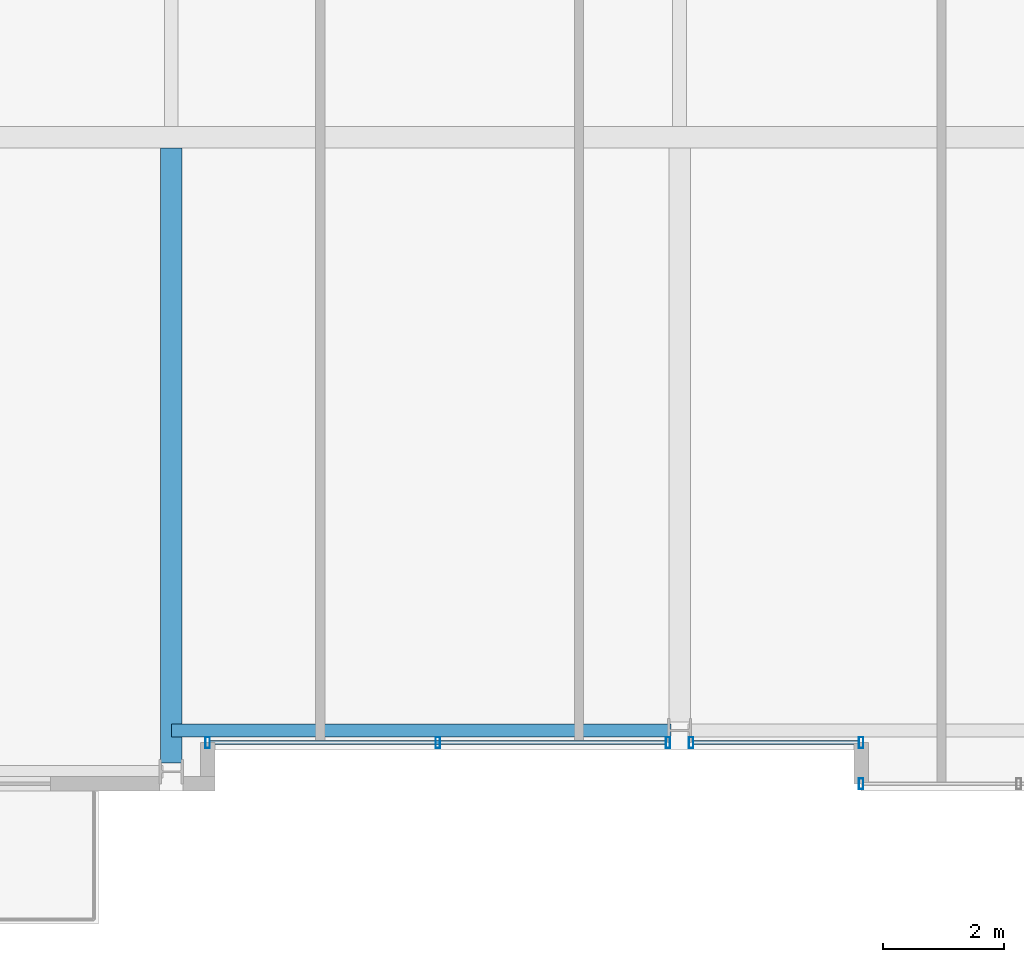
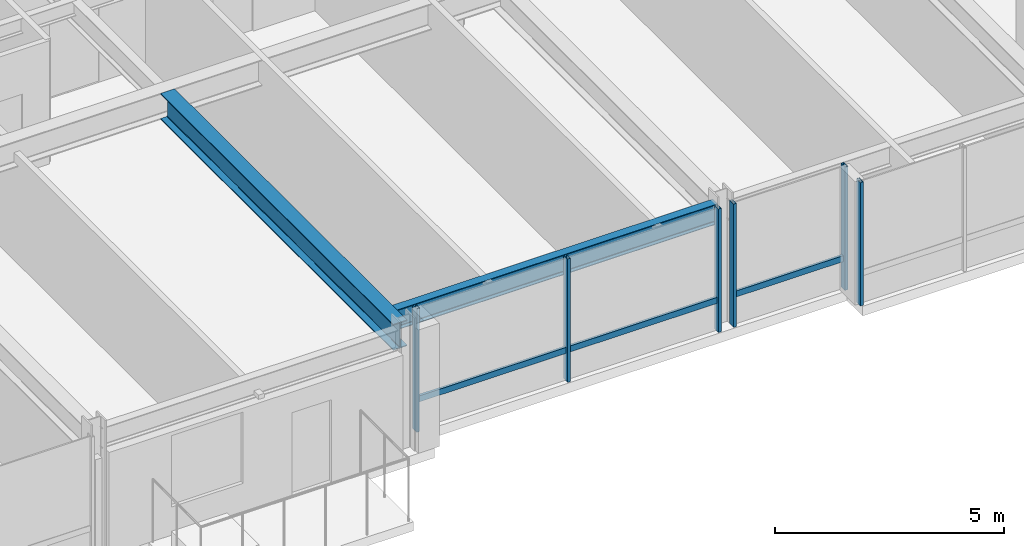
# One storey, part 5 of 32: 8 members, 2 beams, 3 elements without a shape of their own.
"""IFC4 building model written with IfcOpenShell, lengths in metres."""

from ifc_helpers import new_model, si_unit, direction, frame, origin, origin_2d, place, context, subcontext, project, spatial, hollow_rectangle, i_section, extrude, material, layer, layer_set, material_profile, profile_set, type_object, element, aggregate, save


model = new_model("IFC4")

# Units and contexts
model_context = context("Model", 3, precision=1e-05, world=origin(), true_north=direction((0.0, 1.0)))
body_context = subcontext(model_context, "Body", "Model", "MODEL_VIEW")
ifc_project = project(units=[si_unit("LENGTHUNIT", "METRE"), si_unit("AREAUNIT", "SQUARE_METRE"), si_unit("VOLUMEUNIT", "CUBIC_METRE"), si_unit("PLANEANGLEUNIT", "RADIAN"), si_unit("MASSUNIT", "GRAM", prefix="KILO")], contexts=[model_context])

# Site, building, storey
site_placement = place(None, origin())
site = spatial("IfcSite", under=ifc_project, at=site_placement, CompositionType="ELEMENT")
building_placement = place(site_placement, origin())
building = spatial("IfcBuilding", under=site, at=building_placement, Name="Drelvath Grand Hotel", CompositionType="ELEMENT")
storey_placement = place(building_placement, frame((0.0, 0.0, 193.0)))
storey = spatial("IfcBuildingStorey", under=building, at=storey_placement, Name="L50", CompositionType="ELEMENT", Elevation=193.0)

# Curtain wall, member
ifc_material_1 = material(Name="Brushed Pale-Silver Anodised Aluminium Frame", Category="aluminium")
ifc_layer = layer(ifc_material_1, 0.199951171875)
ifc_layer_set = layer_set([ifc_layer], Name="Brushed Pale-Silver Anodised Aluminium Frame")
curtain_wall_type = type_object("IfcCurtainWallType", Name="Stick Curtain Wall CW-04 Brushed Silver Upper-Mid", PredefinedType="NOTDEFINED", material=ifc_layer_set)
curtain_wall_1_placement = place(storey_placement, origin())
curtain_wall_1 = element("IfcCurtainWall", 1, at=curtain_wall_1_placement, inside=storey, type_object=curtain_wall_type, Name="L50 CW-04 Curtain Wall CW04-L50-SM1", PredefinedType="NOTDEFINED")
ifc_material_profile_1 = material_profile(ifc_material_1, hollow_rectangle(XDim=0.06494140625, YDim=0.159912109375, WallThickness=0.00390625, at=origin_2d()), Name="HSS160X65X4")
ifc_profile_set_1 = profile_set([ifc_material_profile_1], Name="Brushed Pale-Silver Anodised Aluminium Frame")
member_type_1 = type_object("IfcMemberType", Name="Curtain Wall Horizontal Transom CW-04 HSS160X65X4", PredefinedType="USERDEFINED", material=ifc_profile_set_1)
member_1_placement = place(storey_placement, frame((-0.231689453125, 0.800048828125, 0.822509765625), z_axis=(-1.0, 0.0, 0.0), x_axis=(0.0, -1.0, 0.0)))
member_1 = element("IfcMember", 2, at=member_1_placement, type_object=member_type_1, Name="CW04-L50-SM1 Sill Transom", ObjectType="TRANSOM", PredefinedType="USERDEFINED", context=body_context, shape_type="SweptSolid", body=[
    extrude(hollow_rectangle(XDim=0.06494140625, YDim=0.159912109375, WallThickness=0.00390625, at=origin_2d()), origin(), (0.0, 0.0, 1.0), 7.5283203125),
])

curtain_wall_2_placement = place(storey_placement, origin())
curtain_wall_2 = element("IfcCurtainWall", 3, at=curtain_wall_2_placement, inside=storey, type_object=curtain_wall_type, Name="L50 CW-04 Curtain Wall CW04-L50-SM2", PredefinedType="NOTDEFINED")
member_2_placement = place(storey_placement, frame((2.9599609375, 0.800048828125, 0.822509765625), z_axis=(-1.0, 0.0, 0.0), x_axis=(0.0, -1.0, 0.0)))
member_2 = element("IfcMember", 4, at=member_2_placement, type_object=member_type_1, Name="CW04-L50-SM2 Sill Transom", ObjectType="TRANSOM", PredefinedType="USERDEFINED", context=body_context, shape_type="SweptSolid", body=[
    extrude(hollow_rectangle(XDim=0.06494140625, YDim=0.159912109375, WallThickness=0.00390625, at=origin_2d()), origin(), (0.0, 0.0, 1.0), 2.728271484375),
])

curtain_wall_3_placement = place(storey_placement, origin())
curtain_wall_3 = element("IfcCurtainWall", 5, at=curtain_wall_3_placement, inside=storey, type_object=curtain_wall_type, Name="L50 CW-04 Curtain Wall CW04-L50-SE1", PredefinedType="NOTDEFINED")
ifc_material_profile_2 = material_profile(ifc_material_1, hollow_rectangle(XDim=0.074951171875, YDim=0.179931640625, WallThickness=0.0048828125, at=origin_2d()), Name="HSS180X75X5")
ifc_profile_set_2 = profile_set([ifc_material_profile_2], Name="Brushed Pale-Silver Anodised Aluminium Frame")
member_type_2 = type_object("IfcMemberType", Name="Curtain Wall Vertical Mullion CW-04 HSS180X75X5", PredefinedType="MULLION", material=ifc_profile_set_2)
member_3_placement = place(storey_placement, frame((3.0, 0.1201171875, 0.0), z_axis=(0.0, 0.0, 1.0), x_axis=(1.0, 0.0, 0.0)))
member_3 = element("IfcMember", 6, at=member_3_placement, type_object=member_type_2, Name="CW04-L50-SE1 Mullion 3", PredefinedType="MULLION", context=body_context, shape_type="SweptSolid", body=[
    extrude(hollow_rectangle(XDim=0.074951171875, YDim=0.179931640625, WallThickness=0.0048828125, at=origin_2d()), origin(), (0.0, 0.0, 1.0), 3.2900390625),
])
aggregate(curtain_wall_3, [member_3])

# Member
member_4_placement = place(storey_placement, frame((-0.191650390625, 0.800048828125, 0.0), z_axis=(0.0, 0.0, 1.0), x_axis=(1.0, 0.0, 0.0)))
member_4 = element("IfcMember", 7, at=member_4_placement, type_object=member_type_2, Name="CW04-L50-SM1 Mullion 1", PredefinedType="MULLION", context=body_context, shape_type="SweptSolid", body=[
    extrude(hollow_rectangle(XDim=0.074951171875, YDim=0.179931640625, WallThickness=0.0048828125, at=origin_2d()), origin(), (0.0, 0.0, 1.0), 3.2900390625),
])

member_5_placement = place(storey_placement, frame((-3.995849609375, 0.800048828125, 0.0), z_axis=(0.0, 0.0, 1.0), x_axis=(1.0, 0.0, 0.0)))
member_5 = element("IfcMember", 8, at=member_5_placement, type_object=member_type_2, Name="CW04-L50-SM1 Mullion 2", PredefinedType="MULLION", context=body_context, shape_type="SweptSolid", body=[
    extrude(hollow_rectangle(XDim=0.074951171875, YDim=0.179931640625, WallThickness=0.0048828125, at=origin_2d()), origin(), (0.0, 0.0, 1.0), 3.2900390625),
])

member_6_placement = place(storey_placement, frame((-7.800048828125, 0.800048828125, 0.0), z_axis=(0.0, 0.0, 1.0), x_axis=(1.0, 0.0, 0.0)))
member_6 = element("IfcMember", 9, at=member_6_placement, type_object=member_type_2, Name="CW04-L50-SM1 Mullion 3", PredefinedType="MULLION", context=body_context, shape_type="SweptSolid", body=[
    extrude(hollow_rectangle(XDim=0.074951171875, YDim=0.179931640625, WallThickness=0.0048828125, at=origin_2d()), origin(), (0.0, 0.0, 1.0), 3.2900390625),
])

aggregate(curtain_wall_1, [member_4, member_5, member_6, member_1])

member_7_placement = place(storey_placement, frame((3.0, 0.800048828125, 0.0), z_axis=(0.0, 0.0, 1.0), x_axis=(1.0, 0.0, 0.0)))
member_7 = element("IfcMember", 10, at=member_7_placement, type_object=member_type_2, Name="CW04-L50-SM2 Mullion 1", PredefinedType="MULLION", context=body_context, shape_type="SweptSolid", body=[
    extrude(hollow_rectangle(XDim=0.074951171875, YDim=0.179931640625, WallThickness=0.0048828125, at=origin_2d()), origin(), (0.0, 0.0, 1.0), 3.2900390625),
])

member_8_placement = place(storey_placement, frame((0.191650390625, 0.800048828125, 0.0), z_axis=(0.0, 0.0, 1.0), x_axis=(1.0, 0.0, 0.0)))
member_8 = element("IfcMember", 11, at=member_8_placement, type_object=member_type_2, Name="CW04-L50-SM2 Mullion 2", PredefinedType="MULLION", context=body_context, shape_type="SweptSolid", body=[
    extrude(hollow_rectangle(XDim=0.074951171875, YDim=0.179931640625, WallThickness=0.0048828125, at=origin_2d()), origin(), (0.0, 0.0, 1.0), 3.2900390625),
])

aggregate(curtain_wall_2, [member_7, member_8, member_2])

# Beams
ifc_material_2 = material(Name="Steel ASTM A992 Gr 50", Category="steel")
ifc_material_profile_3 = material_profile(ifc_material_2, i_section(OverallWidth=0.210205078125, OverallDepth=0.53662109375, WebThickness=0.010986328125, FlangeThickness=0.017333984375, FilletRadius=0.01806640625, at=origin_2d()), Name="W21X68")
ifc_profile_set_3 = profile_set([ifc_material_profile_3], Name="Steel ASTM A992 Gr 50")
beam_type_1 = type_object("IfcBeamType", Name="Perimeter Spandrel Beam W21X68", PredefinedType="SPANDREL", material=ifc_profile_set_3)
beam_1_placement = place(storey_placement, frame((-8.39990234375, 1.0, 3.021484375), z_axis=(1.0, 0.0, 0.0), x_axis=(0.0, 1.0, 0.0)))
element("IfcBeam", 12, at=beam_1_placement, inside=storey, type_object=beam_type_1, Name="L50 Spandrel South Mid W", PredefinedType="SPANDREL", context=body_context, shape_type="SweptSolid", body=[
    extrude(i_section(OverallWidth=0.210205078125, OverallDepth=0.53662109375, WebThickness=0.010986328125, FlangeThickness=0.017333984375, FilletRadius=0.01806640625, at=origin_2d()), origin(), (0.0, 0.0, 1.0), 8.260009765625),
])
ifc_material_profile_4 = material_profile(ifc_material_2, i_section(OverallWidth=0.354736328125, OverallDepth=0.695556640625, WebThickness=0.015380859375, FlangeThickness=0.025146484375, FilletRadius=0.02392578125, at=origin_2d()), Name="W27X146")
ifc_profile_set_4 = profile_set([ifc_material_profile_4], Name="Steel ASTM A992 Gr 50")
beam_type_2 = type_object("IfcBeamType", Name="Primary Floor Girder W27X146", PredefinedType="BEAM", material=ifc_profile_set_4)
beam_2_placement = place(storey_placement, frame((-8.39990234375, 0.4599609375, 2.9423828125), z_axis=(0.0, 1.0, 0.0), x_axis=(-1.0, 0.0, 0.0)))
element("IfcBeam", 13, at=beam_2_placement, inside=storey, type_object=beam_type_2, Name="L50 South Wing Girder 4", PredefinedType="BEAM", context=body_context, shape_type="SweptSolid", body=[
    extrude(i_section(OverallWidth=0.354736328125, OverallDepth=0.695556640625, WebThickness=0.015380859375, FlangeThickness=0.025146484375, FilletRadius=0.02392578125, at=origin_2d()), origin(), (0.0, 0.0, 1.0), 10.16259765625),
])

save(model, "model.ifc")
